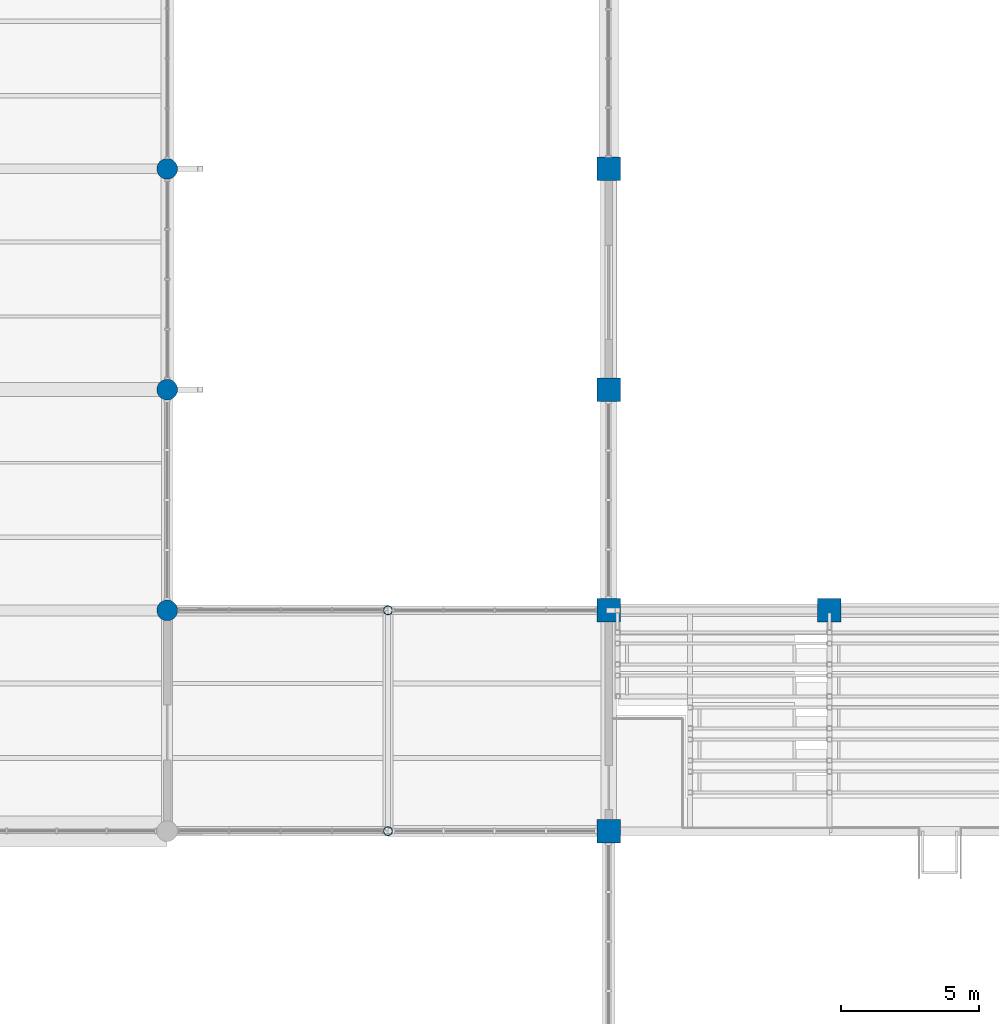
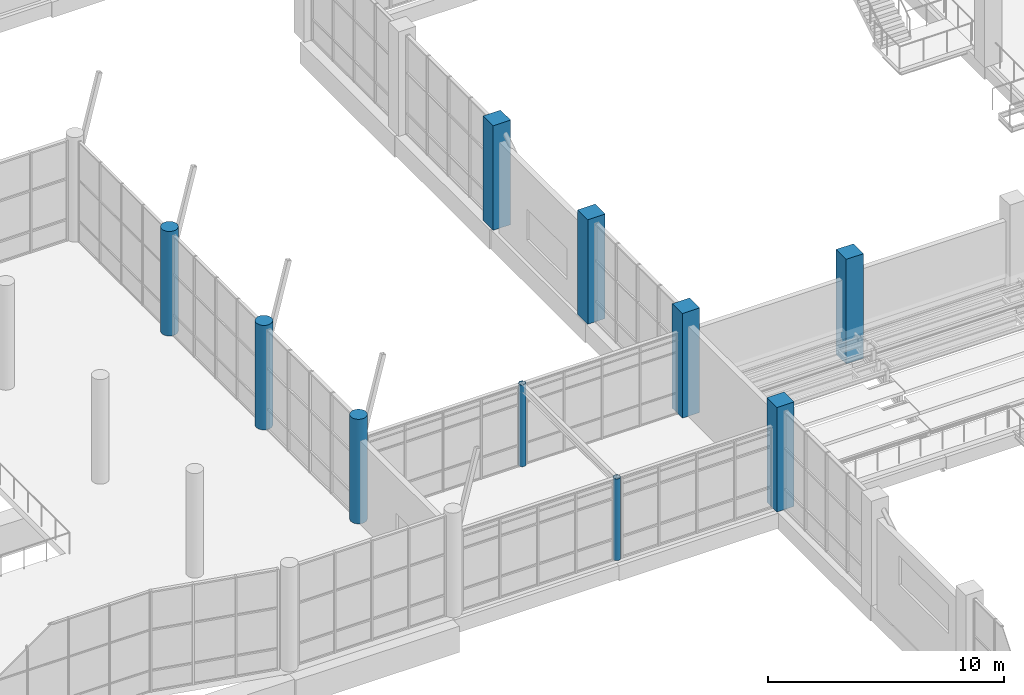
# One storey, part 4 of 122: 10 columns.
"""IFC4 building model written with IfcOpenShell, lengths in metres."""

from ifc_helpers import new_model, si_unit, direction, frame, origin, origin_2d, place, context, subcontext, project, spatial, rectangle, circle, hollow_circle, extrude, material, material_profile, profile_set, type_object, element, save


model = new_model("IFC4")

# Units and contexts
model_context = context("Model", 3, precision=1e-05, world=origin(), true_north=direction((0.0, 1.0)))
body_context = subcontext(model_context, "Body", "Model", "MODEL_VIEW")
ifc_project = project(units=[si_unit("LENGTHUNIT", "METRE"), si_unit("AREAUNIT", "SQUARE_METRE"), si_unit("VOLUMEUNIT", "CUBIC_METRE"), si_unit("PLANEANGLEUNIT", "RADIAN"), si_unit("MASSUNIT", "GRAM", prefix="KILO")], contexts=[model_context])

# Site, building, storey
site_placement = place(None, origin())
site = spatial("IfcSite", under=ifc_project, at=site_placement, CompositionType="ELEMENT")
building_placement = place(site_placement, origin())
building = spatial("IfcBuilding", under=site, at=building_placement, Name="Tenunan Teduh Sports Hall", CompositionType="ELEMENT")
storey_placement = place(building_placement, frame((0.0, 0.0, 5.39990234375)))
storey = spatial("IfcBuildingStorey", under=building, at=storey_placement, Name="L01", CompositionType="ELEMENT", Elevation=5.39990234375)

# Columns
ifc_material_1 = material(Name="Concrete C40/50", Category="concrete")
ifc_material_profile_1 = material_profile(ifc_material_1, rectangle(XDim=0.85009765625, YDim=0.85009765625, at=origin_2d()), Name="RC 850x850")
ifc_profile_set_1 = profile_set([ifc_material_profile_1], Name="Concrete C40/50")
column_type_1 = type_object("IfcColumnType", Name="COL-RC-850", PredefinedType="COLUMN", material=ifc_profile_set_1)
for number, where, z_axis, x_axis, name in (
    (1, (122.0, 38.0, 0.0), (0.0, 0.0, 1.0), (1.0, 0.0, 0.0), "COL-C-04-L01-155"),
    (2, (122.0, 46.0, 0.0), (0.0, 0.0, 1.0), (1.0, 0.0, 0.0), "COL-C-04-L01-156"),
    (3, (122.0, 54.0, 0.0), (0.0, 0.0, 1.0), (1.0, 0.0, 0.0), "COL-C-04-L01-157"),
    (4, (122.0, 62.0, 0.0), (0.0, 0.0, 1.0), (1.0, 0.0, 0.0), "COL-C-04-L01-158"),
    (5, (130.0, 46.0, 0.0), (0.0, 0.0, 1.0), (1.0, 0.0, 0.0), "COL-C-04-L01-169"),
):
    element("IfcColumn", number, at=place(storey_placement, frame(where, z_axis=z_axis, x_axis=x_axis)), inside=storey, type_object=column_type_1, Name=name, PredefinedType="COLUMN", context=body_context, shape_type="SweptSolid", body=[
        extrude(rectangle(XDim=0.85009765625, YDim=0.85009765625, at=origin_2d()), origin(), (0.0, 0.0, 1.0), 5.400146484375),
    ])
ifc_material_2 = material(Name="Concrete C40/50", Category="concrete")
ifc_material_profile_2 = material_profile(ifc_material_2, circle(Radius=0.375, at=origin_2d()), Name="RCC D750")
ifc_profile_set_2 = profile_set([ifc_material_profile_2], Name="Concrete C40/50")
column_type_2 = type_object("IfcColumnType", Name="COL-RCC-750", PredefinedType="COLUMN", material=ifc_profile_set_2)
for number, where, z_axis, x_axis, name in (
    (6, (106.0, 46.0, 0.0), (0.0, 0.0, 1.0), (1.0, 0.0, 0.0), "COL-C-20-L01-133"),
    (7, (106.0, 54.0, 0.0), (0.0, 0.0, 1.0), (1.0, 0.0, 0.0), "COL-C-20-L01-134"),
    (8, (106.0, 62.0, 0.0), (0.0, 0.0, 1.0), (1.0, 0.0, 0.0), "COL-C-20-L01-135"),
):
    element("IfcColumn", number, at=place(storey_placement, frame(where, z_axis=z_axis, x_axis=x_axis)), inside=storey, type_object=column_type_2, Name=name, PredefinedType="COLUMN", context=body_context, shape_type="SweptSolid", body=[
        extrude(circle(Radius=0.375, at=origin_2d()), origin(), (0.0, 0.0, 1.0), 5.400146484375),
    ])
ifc_material_3 = material(Name="Steel S355", Category="steel")
ifc_material_profile_3 = material_profile(ifc_material_3, hollow_circle(Radius=0.161865234375, WallThickness=0.012451171875, at=origin_2d()), Name="CHS 323.9x12.5")
ifc_profile_set_3 = profile_set([ifc_material_profile_3], Name="Steel S355")
column_type_3 = type_object("IfcColumnType", Name="COL-ST-CHS324", PredefinedType="COLUMN", material=ifc_profile_set_3)
for number, where, z_axis, x_axis, name in (
    (9, (114.0, 38.0, 0.0), (0.0, 0.0, 1.0), (1.0, 0.0, 0.0), "COL-SC-06-L01-LNK3"),
    (10, (114.0, 46.0, 0.0), (0.0, 0.0, 1.0), (1.0, 0.0, 0.0), "COL-SC-06-L01-LNK4"),
):
    element("IfcColumn", number, at=place(storey_placement, frame(where, z_axis=z_axis, x_axis=x_axis)), inside=storey, type_object=column_type_3, Name=name, PredefinedType="COLUMN", context=body_context, shape_type="SweptSolid", body=[
        extrude(hollow_circle(Radius=0.161865234375, WallThickness=0.012451171875, at=origin_2d()), origin(), (0.0, 0.0, 1.0), 4.22021484375),
    ])

save(model, "model.ifc")
